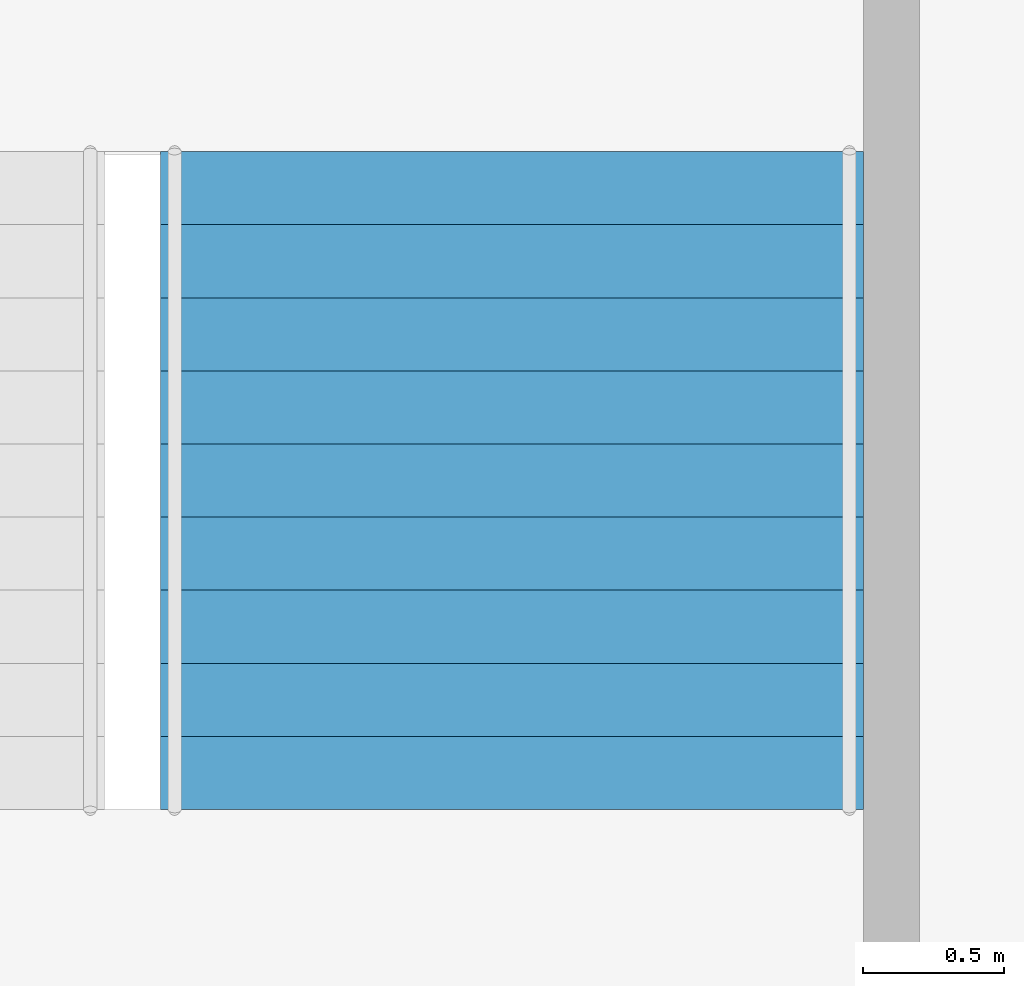
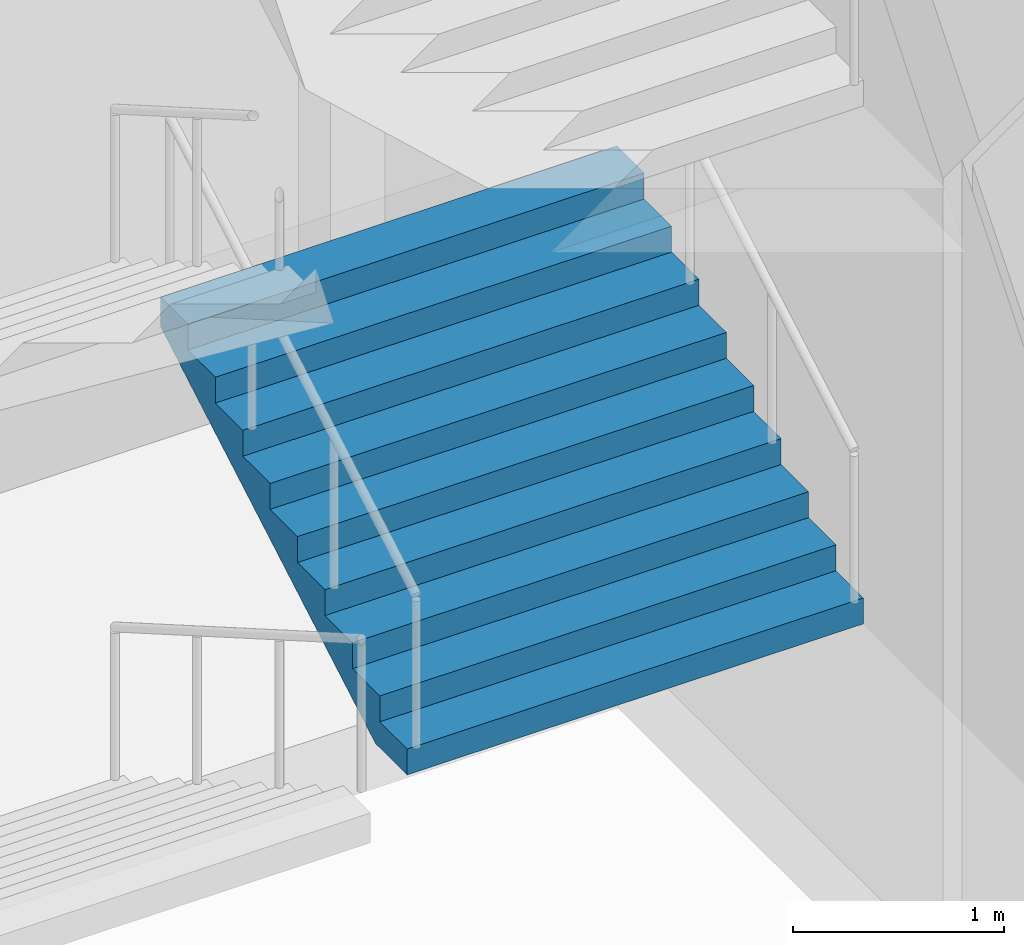
# One storey, part 72 of 100: 1 stair flight, 1 element without a shape of its own.
"""IFC4 building model written with IfcOpenShell, lengths in metres."""

from ifc_helpers import new_model, si_unit, direction, frame, origin, place, context, subcontext, project, spatial, triangles, material, type_object, element, aggregate, save


model = new_model("IFC4")

# Units and contexts
model_context = context("Model", 3, precision=1e-05, world=origin(), true_north=direction((0.0, 1.0)))
body_context = subcontext(model_context, "Body", "Model", "MODEL_VIEW")
ifc_project = project(units=[si_unit("LENGTHUNIT", "METRE"), si_unit("AREAUNIT", "SQUARE_METRE"), si_unit("VOLUMEUNIT", "CUBIC_METRE"), si_unit("PLANEANGLEUNIT", "RADIAN"), si_unit("MASSUNIT", "GRAM", prefix="KILO")], contexts=[model_context])

# Site, building, storey
site_placement = place(None, origin())
site = spatial("IfcSite", under=ifc_project, at=site_placement, CompositionType="ELEMENT")
building_placement = place(site_placement, origin())
building = spatial("IfcBuilding", under=site, at=building_placement, Name="Hakoniwa Tower and Hamabe Station Hall", CompositionType="ELEMENT")
storey_placement = place(building_placement, frame((0.0, 0.0, 9.0)))
storey = spatial("IfcBuildingStorey", under=building, at=storey_placement, Name="L02", CompositionType="ELEMENT", Elevation=9.0)

# Stair, stair flight
ifc_material_1 = material(Name="Concrete C40", Category="concrete")
stair_type = type_object("IfcStairType", Name="STAIR 2500 10X150", PredefinedType="HALF_TURN_STAIR", material=ifc_material_1)
stair_placement = place(storey_placement, origin())
stair = element("IfcStair", 1, at=stair_placement, inside=storey, type_object=stair_type, Name="Escape stair PS2", PredefinedType="HALF_TURN_STAIR")
ifc_material_2 = material(Name="Concrete C40", Category="concrete")
stair_flight_type = type_object("IfcStairFlightType", Name="STAIR FLIGHT 2500", PredefinedType="STRAIGHT", material=ifc_material_2)
stair_flight_placement = place(storey_placement, frame((47.800048828125, 20.010009765625, 1.5), z_axis=(0.0, 0.0, 1.0), x_axis=(0.0, 1.0, 0.0)))
stair_flight = element("IfcStairFlight", 2, at=stair_flight_placement, type_object=stair_flight_type, Name="PS2 flight 2", NumberOfRisers=10, NumberOfTreads=9, PredefinedType="STRAIGHT", RiserHeight=0.15, TreadLength=0.26, context=body_context, shape_type="Tessellation", body=[
    triangles([(0.0, 1.25, 0.0), (0.260009765625, 1.25, 0.0), (0.300048828125, 1.25, 0.0), (0.52001953125, 1.25, 0.126953125), (0.780029296875, 1.25, 0.27685546875), (1.0400390625, 1.25, 0.427001953125), (1.300048828125, 1.25, 0.576904296875), (1.56005859375, 1.25, 0.72705078125), (1.820068359375, 1.25, 0.876953125), (2.080078125, 1.25, 1.02685546875), (2.340087890625, 1.25, 1.177001953125), (2.340087890625, 1.25, 1.35009765625), (2.080078125, 1.25, 1.35009765625), (2.080078125, 1.25, 1.199951171875), (1.820068359375, 1.25, 1.199951171875), (1.820068359375, 1.25, 1.050048828125), (1.56005859375, 1.25, 1.050048828125), (1.56005859375, 1.25, 0.89990234375), (1.300048828125, 1.25, 0.89990234375), (1.300048828125, 1.25, 0.75), (1.0400390625, 1.25, 0.75), (1.0400390625, 1.25, 0.60009765625), (0.780029296875, 1.25, 0.60009765625), (0.780029296875, 1.25, 0.449951171875), (0.52001953125, 1.25, 0.449951171875), (0.52001953125, 1.25, 0.300048828125), (0.300048828125, 1.25, 0.300048828125), (0.260009765625, 1.25, 0.300048828125), (0.260009765625, 1.25, 0.14990234375), (0.0, 1.25, 0.14990234375), (0.0, 0.06005859375, 0.0), (0.260009765625, 0.06005859375, 0.0), (0.300048828125, 0.06005859375, 0.0), (0.52001953125, 0.06005859375, 0.126953125), (0.780029296875, 0.06005859375, 0.27685546875), (1.0400390625, 0.06005859375, 0.427001953125), (1.300048828125, 0.06005859375, 0.576904296875), (1.56005859375, 0.06005859375, 0.72705078125), (1.820068359375, 0.06005859375, 0.876953125), (2.080078125, 0.06005859375, 1.02685546875), (2.340087890625, 0.06005859375, 1.177001953125), (2.340087890625, 0.06005859375, 1.35009765625), (2.080078125, 0.06005859375, 1.35009765625), (2.080078125, 0.06005859375, 1.199951171875), (1.820068359375, 0.06005859375, 1.199951171875), (1.820068359375, 0.06005859375, 1.050048828125), (1.56005859375, 0.06005859375, 1.050048828125), (1.56005859375, 0.06005859375, 0.89990234375), (1.300048828125, 0.06005859375, 0.89990234375), (1.300048828125, 0.06005859375, 0.75), (1.0400390625, 0.06005859375, 0.75), (1.0400390625, 0.06005859375, 0.60009765625), (0.780029296875, 0.06005859375, 0.60009765625), (0.780029296875, 0.06005859375, 0.449951171875), (0.52001953125, 0.06005859375, 0.449951171875), (0.52001953125, 0.06005859375, 0.300048828125), (0.300048828125, 0.06005859375, 0.300048828125), (0.260009765625, 0.06005859375, 0.300048828125), (0.260009765625, 0.06005859375, 0.14990234375), (0.0, 0.06005859375, 0.14990234375), (0.0, 0.049072265625, 0.0), (0.260009765625, 0.049072265625, 0.0), (0.300048828125, 0.049072265625, 0.0), (0.52001953125, 0.049072265625, 0.126953125), (0.780029296875, 0.049072265625, 0.27685546875), (1.0400390625, 0.049072265625, 0.427001953125), (1.300048828125, 0.049072265625, 0.576904296875), (1.56005859375, 0.049072265625, 0.72705078125), (1.820068359375, 0.049072265625, 0.876953125), (2.080078125, 0.049072265625, 1.02685546875), (2.340087890625, 0.049072265625, 1.177001953125), (2.340087890625, 0.049072265625, 1.35009765625), (2.080078125, 0.049072265625, 1.35009765625), (2.080078125, 0.049072265625, 1.199951171875), (1.820068359375, 0.049072265625, 1.199951171875), (1.820068359375, 0.049072265625, 1.050048828125), (1.56005859375, 0.049072265625, 1.050048828125), (1.56005859375, 0.049072265625, 0.89990234375), (1.300048828125, 0.049072265625, 0.89990234375), (1.300048828125, 0.049072265625, 0.75), (1.0400390625, 0.049072265625, 0.75), (1.0400390625, 0.049072265625, 0.60009765625), (0.780029296875, 0.049072265625, 0.60009765625), (0.780029296875, 0.049072265625, 0.449951171875), (0.52001953125, 0.049072265625, 0.449951171875), (0.52001953125, 0.049072265625, 0.300048828125), (0.300048828125, 0.049072265625, 0.300048828125), (0.260009765625, 0.049072265625, 0.300048828125), (0.260009765625, 0.049072265625, 0.14990234375), (0.0, 0.049072265625, 0.14990234375), (0.0, 0.0380859375, 0.0), (0.260009765625, 0.0380859375, 0.0), (0.300048828125, 0.0380859375, 0.0), (0.52001953125, 0.0380859375, 0.126953125), (0.780029296875, 0.0380859375, 0.27685546875), (1.0400390625, 0.0380859375, 0.427001953125), (1.300048828125, 0.0380859375, 0.576904296875), (1.56005859375, 0.0380859375, 0.72705078125), (1.820068359375, 0.0380859375, 0.876953125), (2.080078125, 0.0380859375, 1.02685546875), (2.340087890625, 0.0380859375, 1.177001953125), (2.340087890625, 0.0380859375, 1.35009765625), (2.080078125, 0.0380859375, 1.35009765625), (2.080078125, 0.0380859375, 1.199951171875), (1.820068359375, 0.0380859375, 1.199951171875), (1.820068359375, 0.0380859375, 1.050048828125), (1.56005859375, 0.0380859375, 1.050048828125), (1.56005859375, 0.0380859375, 0.89990234375), (1.300048828125, 0.0380859375, 0.89990234375), (1.300048828125, 0.0380859375, 0.75), (1.0400390625, 0.0380859375, 0.75), (1.0400390625, 0.0380859375, 0.60009765625), (0.780029296875, 0.0380859375, 0.60009765625), (0.780029296875, 0.0380859375, 0.449951171875), (0.52001953125, 0.0380859375, 0.449951171875), (0.52001953125, 0.0380859375, 0.300048828125), (0.300048828125, 0.0380859375, 0.300048828125), (0.260009765625, 0.0380859375, 0.300048828125), (0.260009765625, 0.0380859375, 0.14990234375), (0.0, 0.0380859375, 0.14990234375), (0.0, 0.02734375, 0.0), (0.260009765625, 0.02734375, 0.0), (0.300048828125, 0.02734375, 0.0), (0.52001953125, 0.02734375, 0.126953125), (0.780029296875, 0.02734375, 0.27685546875), (1.0400390625, 0.02734375, 0.427001953125), (1.300048828125, 0.02734375, 0.576904296875), (1.56005859375, 0.02734375, 0.72705078125), (1.820068359375, 0.02734375, 0.876953125), (2.080078125, 0.02734375, 1.02685546875), (2.340087890625, 0.02734375, 1.177001953125), (2.340087890625, 0.02734375, 1.35009765625), (2.080078125, 0.02734375, 1.35009765625), (2.080078125, 0.02734375, 1.199951171875), (1.820068359375, 0.02734375, 1.199951171875), (1.820068359375, 0.02734375, 1.050048828125), (1.56005859375, 0.02734375, 1.050048828125), (1.56005859375, 0.02734375, 0.89990234375), (1.300048828125, 0.02734375, 0.89990234375), (1.300048828125, 0.02734375, 0.75), (1.0400390625, 0.02734375, 0.75), (1.0400390625, 0.02734375, 0.60009765625), (0.780029296875, 0.02734375, 0.60009765625), (0.780029296875, 0.02734375, 0.449951171875), (0.52001953125, 0.02734375, 0.449951171875), (0.52001953125, 0.02734375, 0.300048828125), (0.300048828125, 0.02734375, 0.300048828125), (0.260009765625, 0.02734375, 0.300048828125), (0.260009765625, 0.02734375, 0.14990234375), (0.0, 0.02734375, 0.14990234375), (0.0, 0.016357421875, 0.0), (0.260009765625, 0.016357421875, 0.0), (0.300048828125, 0.016357421875, 0.0), (0.52001953125, 0.016357421875, 0.126953125), (0.780029296875, 0.016357421875, 0.27685546875), (1.0400390625, 0.016357421875, 0.427001953125), (1.300048828125, 0.016357421875, 0.576904296875), (1.56005859375, 0.016357421875, 0.72705078125), (1.820068359375, 0.016357421875, 0.876953125), (2.080078125, 0.016357421875, 1.02685546875), (2.340087890625, 0.016357421875, 1.177001953125), (2.340087890625, 0.016357421875, 1.35009765625), (2.080078125, 0.016357421875, 1.35009765625), (2.080078125, 0.016357421875, 1.199951171875), (1.820068359375, 0.016357421875, 1.199951171875), (1.820068359375, 0.016357421875, 1.050048828125), (1.56005859375, 0.016357421875, 1.050048828125), (1.56005859375, 0.016357421875, 0.89990234375), (1.300048828125, 0.016357421875, 0.89990234375), (1.300048828125, 0.016357421875, 0.75), (1.0400390625, 0.016357421875, 0.75), (1.0400390625, 0.016357421875, 0.60009765625), (0.780029296875, 0.016357421875, 0.60009765625), (0.780029296875, 0.016357421875, 0.449951171875), (0.52001953125, 0.016357421875, 0.449951171875), (0.52001953125, 0.016357421875, 0.300048828125), (0.300048828125, 0.016357421875, 0.300048828125), (0.260009765625, 0.016357421875, 0.300048828125), (0.260009765625, 0.016357421875, 0.14990234375), (0.0, 0.016357421875, 0.14990234375), (0.0, 0.00537109375, 0.0), (0.260009765625, 0.00537109375, 0.0), (0.300048828125, 0.00537109375, 0.0), (0.52001953125, 0.00537109375, 0.126953125), (0.780029296875, 0.00537109375, 0.27685546875), (1.0400390625, 0.00537109375, 0.427001953125), (1.300048828125, 0.00537109375, 0.576904296875), (1.56005859375, 0.00537109375, 0.72705078125), (1.820068359375, 0.00537109375, 0.876953125), (2.080078125, 0.00537109375, 1.02685546875), (2.340087890625, 0.00537109375, 1.177001953125), (2.340087890625, 0.00537109375, 1.35009765625), (2.080078125, 0.00537109375, 1.35009765625), (2.080078125, 0.00537109375, 1.199951171875), (1.820068359375, 0.00537109375, 1.199951171875), (1.820068359375, 0.00537109375, 1.050048828125), (1.56005859375, 0.00537109375, 1.050048828125), (1.56005859375, 0.00537109375, 0.89990234375), (1.300048828125, 0.00537109375, 0.89990234375), (1.300048828125, 0.00537109375, 0.75), (1.0400390625, 0.00537109375, 0.75), (1.0400390625, 0.00537109375, 0.60009765625), (0.780029296875, 0.00537109375, 0.60009765625), (0.780029296875, 0.00537109375, 0.449951171875), (0.52001953125, 0.00537109375, 0.449951171875), (0.52001953125, 0.00537109375, 0.300048828125), (0.300048828125, 0.00537109375, 0.300048828125), (0.260009765625, 0.00537109375, 0.300048828125), (0.260009765625, 0.00537109375, 0.14990234375), (0.0, 0.00537109375, 0.14990234375), (0.0, -0.00537109375, 0.0), (0.260009765625, -0.00537109375, 0.0), (0.300048828125, -0.00537109375, 0.0), (0.52001953125, -0.00537109375, 0.126953125), (0.780029296875, -0.00537109375, 0.27685546875), (1.0400390625, -0.00537109375, 0.427001953125), (1.300048828125, -0.00537109375, 0.576904296875), (1.56005859375, -0.00537109375, 0.72705078125), (1.820068359375, -0.00537109375, 0.876953125), (2.080078125, -0.00537109375, 1.02685546875), (2.340087890625, -0.00537109375, 1.177001953125), (2.340087890625, -0.00537109375, 1.35009765625), (2.080078125, -0.00537109375, 1.35009765625), (2.080078125, -0.00537109375, 1.199951171875), (1.820068359375, -0.00537109375, 1.199951171875), (1.820068359375, -0.00537109375, 1.050048828125), (1.56005859375, -0.00537109375, 1.050048828125), (1.56005859375, -0.00537109375, 0.89990234375), (1.300048828125, -0.00537109375, 0.89990234375), (1.300048828125, -0.00537109375, 0.75), (1.0400390625, -0.00537109375, 0.75), (1.0400390625, -0.00537109375, 0.60009765625), (0.780029296875, -0.00537109375, 0.60009765625), (0.780029296875, -0.00537109375, 0.449951171875), (0.52001953125, -0.00537109375, 0.449951171875), (0.52001953125, -0.00537109375, 0.300048828125), (0.300048828125, -0.00537109375, 0.300048828125), (0.260009765625, -0.00537109375, 0.300048828125), (0.260009765625, -0.00537109375, 0.14990234375), (0.0, -0.00537109375, 0.14990234375), (0.0, -0.016357421875, 0.0), (0.260009765625, -0.016357421875, 0.0), (0.300048828125, -0.016357421875, 0.0), (0.52001953125, -0.016357421875, 0.126953125), (0.780029296875, -0.016357421875, 0.27685546875), (1.0400390625, -0.016357421875, 0.427001953125), (1.300048828125, -0.016357421875, 0.576904296875), (1.56005859375, -0.016357421875, 0.72705078125), (1.820068359375, -0.016357421875, 0.876953125), (2.080078125, -0.016357421875, 1.02685546875), (2.340087890625, -0.016357421875, 1.177001953125), (2.340087890625, -0.016357421875, 1.35009765625), (2.080078125, -0.016357421875, 1.35009765625), (2.080078125, -0.016357421875, 1.199951171875), (1.820068359375, -0.016357421875, 1.199951171875), (1.820068359375, -0.016357421875, 1.050048828125), (1.56005859375, -0.016357421875, 1.050048828125), (1.56005859375, -0.016357421875, 0.89990234375), (1.300048828125, -0.016357421875, 0.89990234375), (1.300048828125, -0.016357421875, 0.75), (1.0400390625, -0.016357421875, 0.75), (1.0400390625, -0.016357421875, 0.60009765625), (0.780029296875, -0.016357421875, 0.60009765625), (0.780029296875, -0.016357421875, 0.449951171875), (0.52001953125, -0.016357421875, 0.449951171875), (0.52001953125, -0.016357421875, 0.300048828125), (0.300048828125, -0.016357421875, 0.300048828125), (0.260009765625, -0.016357421875, 0.300048828125), (0.260009765625, -0.016357421875, 0.14990234375), (0.0, -0.016357421875, 0.14990234375), (0.0, -0.02734375, 0.0), (0.260009765625, -0.02734375, 0.0), (0.300048828125, -0.02734375, 0.0), (0.52001953125, -0.02734375, 0.126953125), (0.780029296875, -0.02734375, 0.27685546875), (1.0400390625, -0.02734375, 0.427001953125), (1.300048828125, -0.02734375, 0.576904296875), (1.56005859375, -0.02734375, 0.72705078125), (1.820068359375, -0.02734375, 0.876953125), (2.080078125, -0.02734375, 1.02685546875), (2.340087890625, -0.02734375, 1.177001953125), (2.340087890625, -0.02734375, 1.35009765625), (2.080078125, -0.02734375, 1.35009765625), (2.080078125, -0.02734375, 1.199951171875), (1.820068359375, -0.02734375, 1.199951171875), (1.820068359375, -0.02734375, 1.050048828125), (1.56005859375, -0.02734375, 1.050048828125), (1.56005859375, -0.02734375, 0.89990234375), (1.300048828125, -0.02734375, 0.89990234375), (1.300048828125, -0.02734375, 0.75), (1.0400390625, -0.02734375, 0.75), (1.0400390625, -0.02734375, 0.60009765625), (0.780029296875, -0.02734375, 0.60009765625), (0.780029296875, -0.02734375, 0.449951171875), (0.52001953125, -0.02734375, 0.449951171875), (0.52001953125, -0.02734375, 0.300048828125), (0.300048828125, -0.02734375, 0.300048828125), (0.260009765625, -0.02734375, 0.300048828125), (0.260009765625, -0.02734375, 0.14990234375), (0.0, -0.02734375, 0.14990234375), (0.0, -0.0380859375, 0.0), (0.260009765625, -0.0380859375, 0.0), (0.300048828125, -0.0380859375, 0.0), (0.52001953125, -0.0380859375, 0.126953125), (0.780029296875, -0.0380859375, 0.27685546875), (1.0400390625, -0.0380859375, 0.427001953125), (1.300048828125, -0.0380859375, 0.576904296875), (1.56005859375, -0.0380859375, 0.72705078125), (1.820068359375, -0.0380859375, 0.876953125), (2.080078125, -0.0380859375, 1.02685546875), (2.340087890625, -0.0380859375, 1.177001953125), (2.340087890625, -0.0380859375, 1.35009765625), (2.080078125, -0.0380859375, 1.35009765625), (2.080078125, -0.0380859375, 1.199951171875), (1.820068359375, -0.0380859375, 1.199951171875), (1.820068359375, -0.0380859375, 1.050048828125), (1.56005859375, -0.0380859375, 1.050048828125), (1.56005859375, -0.0380859375, 0.89990234375), (1.300048828125, -0.0380859375, 0.89990234375), (1.300048828125, -0.0380859375, 0.75), (1.0400390625, -0.0380859375, 0.75), (1.0400390625, -0.0380859375, 0.60009765625), (0.780029296875, -0.0380859375, 0.60009765625), (0.780029296875, -0.0380859375, 0.449951171875), (0.52001953125, -0.0380859375, 0.449951171875), (0.52001953125, -0.0380859375, 0.300048828125), (0.300048828125, -0.0380859375, 0.300048828125), (0.260009765625, -0.0380859375, 0.300048828125), (0.260009765625, -0.0380859375, 0.14990234375), (0.0, -0.0380859375, 0.14990234375), (0.0, -0.049072265625, 0.0), (0.260009765625, -0.049072265625, 0.0), (0.300048828125, -0.049072265625, 0.0), (0.52001953125, -0.049072265625, 0.126953125), (0.780029296875, -0.049072265625, 0.27685546875), (1.0400390625, -0.049072265625, 0.427001953125), (1.300048828125, -0.049072265625, 0.576904296875), (1.56005859375, -0.049072265625, 0.72705078125), (1.820068359375, -0.049072265625, 0.876953125), (2.080078125, -0.049072265625, 1.02685546875), (2.340087890625, -0.049072265625, 1.177001953125), (2.340087890625, -0.049072265625, 1.35009765625), (2.080078125, -0.049072265625, 1.35009765625), (2.080078125, -0.049072265625, 1.199951171875), (1.820068359375, -0.049072265625, 1.199951171875), (1.820068359375, -0.049072265625, 1.050048828125), (1.56005859375, -0.049072265625, 1.050048828125), (1.56005859375, -0.049072265625, 0.89990234375), (1.300048828125, -0.049072265625, 0.89990234375), (1.300048828125, -0.049072265625, 0.75), (1.0400390625, -0.049072265625, 0.75), (1.0400390625, -0.049072265625, 0.60009765625), (0.780029296875, -0.049072265625, 0.60009765625), (0.780029296875, -0.049072265625, 0.449951171875), (0.52001953125, -0.049072265625, 0.449951171875), (0.52001953125, -0.049072265625, 0.300048828125), (0.300048828125, -0.049072265625, 0.300048828125), (0.260009765625, -0.049072265625, 0.300048828125), (0.260009765625, -0.049072265625, 0.14990234375), (0.0, -0.049072265625, 0.14990234375), (0.0, -0.06005859375, 0.0), (0.260009765625, -0.06005859375, 0.0), (0.300048828125, -0.06005859375, 0.0), (0.52001953125, -0.06005859375, 0.126953125), (0.780029296875, -0.06005859375, 0.27685546875), (1.0400390625, -0.06005859375, 0.427001953125), (1.300048828125, -0.06005859375, 0.576904296875), (1.56005859375, -0.06005859375, 0.72705078125), (1.820068359375, -0.06005859375, 0.876953125), (2.080078125, -0.06005859375, 1.02685546875), (2.340087890625, -0.06005859375, 1.177001953125), (2.340087890625, -0.06005859375, 1.35009765625), (2.080078125, -0.06005859375, 1.35009765625), (2.080078125, -0.06005859375, 1.199951171875), (1.820068359375, -0.06005859375, 1.199951171875), (1.820068359375, -0.06005859375, 1.050048828125), (1.56005859375, -0.06005859375, 1.050048828125), (1.56005859375, -0.06005859375, 0.89990234375), (1.300048828125, -0.06005859375, 0.89990234375), (1.300048828125, -0.06005859375, 0.75), (1.0400390625, -0.06005859375, 0.75), (1.0400390625, -0.06005859375, 0.60009765625), (0.780029296875, -0.06005859375, 0.60009765625), (0.780029296875, -0.06005859375, 0.449951171875), (0.52001953125, -0.06005859375, 0.449951171875), (0.52001953125, -0.06005859375, 0.300048828125), (0.300048828125, -0.06005859375, 0.300048828125), (0.260009765625, -0.06005859375, 0.300048828125), (0.260009765625, -0.06005859375, 0.14990234375), (0.0, -0.06005859375, 0.14990234375), (0.0, -1.25, 0.0), (0.260009765625, -1.25, 0.0), (0.300048828125, -1.25, 0.0), (0.52001953125, -1.25, 0.126953125), (0.780029296875, -1.25, 0.27685546875), (1.0400390625, -1.25, 0.427001953125), (1.300048828125, -1.25, 0.576904296875), (1.56005859375, -1.25, 0.72705078125), (1.820068359375, -1.25, 0.876953125), (2.080078125, -1.25, 1.02685546875), (2.340087890625, -1.25, 1.177001953125), (2.340087890625, -1.25, 1.35009765625), (2.080078125, -1.25, 1.35009765625), (2.080078125, -1.25, 1.199951171875), (1.820068359375, -1.25, 1.199951171875), (1.820068359375, -1.25, 1.050048828125), (1.56005859375, -1.25, 1.050048828125), (1.56005859375, -1.25, 0.89990234375), (1.300048828125, -1.25, 0.89990234375), (1.300048828125, -1.25, 0.75), (1.0400390625, -1.25, 0.75), (1.0400390625, -1.25, 0.60009765625), (0.780029296875, -1.25, 0.60009765625), (0.780029296875, -1.25, 0.449951171875), (0.52001953125, -1.25, 0.449951171875), (0.52001953125, -1.25, 0.300048828125), (0.300048828125, -1.25, 0.300048828125), (0.260009765625, -1.25, 0.300048828125), (0.260009765625, -1.25, 0.14990234375), (0.0, -1.25, 0.14990234375)], [[2, 30, 29], [392, 419, 420], [2, 1, 30], [392, 420, 391], [3, 28, 27], [393, 417, 418], [3, 29, 28], [393, 418, 419], [3, 2, 29], [393, 419, 392], [4, 27, 26], [394, 416, 417], [4, 3, 27], [394, 417, 393], [5, 25, 24], [395, 414, 415], [5, 26, 25], [395, 415, 416], [5, 4, 26], [395, 416, 394], [6, 23, 22], [396, 412, 413], [6, 24, 23], [396, 413, 414], [6, 5, 24], [396, 414, 395], [7, 21, 20], [397, 410, 411], [7, 22, 21], [397, 411, 412], [7, 6, 22], [397, 412, 396], [8, 19, 18], [398, 408, 409], [8, 20, 19], [398, 409, 410], [8, 7, 20], [398, 410, 397], [9, 17, 16], [399, 406, 407], [9, 18, 17], [399, 407, 408], [9, 8, 18], [399, 408, 398], [10, 15, 14], [400, 404, 405], [10, 16, 15], [400, 405, 406], [10, 9, 16], [400, 406, 399], [11, 13, 12], [401, 402, 403], [11, 14, 13], [401, 403, 404], [11, 10, 14], [401, 404, 400], [1, 2, 32], [1, 32, 31], [31, 32, 62], [31, 62, 61], [61, 62, 92], [61, 92, 91], [91, 92, 122], [91, 122, 121], [121, 122, 152], [121, 152, 151], [151, 152, 182], [151, 182, 181], [181, 182, 212], [181, 212, 211], [211, 212, 242], [211, 242, 241], [241, 242, 272], [241, 272, 271], [271, 272, 302], [271, 302, 301], [301, 302, 332], [301, 332, 331], [331, 332, 362], [331, 362, 361], [361, 362, 392], [361, 392, 391], [2, 3, 33], [2, 33, 32], [32, 33, 63], [32, 63, 62], [62, 63, 93], [62, 93, 92], [92, 93, 123], [92, 123, 122], [122, 123, 153], [122, 153, 152], [152, 153, 183], [152, 183, 182], [182, 183, 213], [182, 213, 212], [212, 213, 243], [212, 243, 242], [242, 243, 273], [242, 273, 272], [272, 273, 303], [272, 303, 302], [302, 303, 333], [302, 333, 332], [332, 333, 363], [332, 363, 362], [362, 363, 393], [362, 393, 392], [3, 4, 34], [3, 34, 33], [33, 34, 64], [33, 64, 63], [63, 64, 94], [63, 94, 93], [93, 94, 124], [93, 124, 123], [123, 124, 154], [123, 154, 153], [153, 154, 184], [153, 184, 183], [183, 184, 214], [183, 214, 213], [213, 214, 244], [213, 244, 243], [243, 244, 274], [243, 274, 273], [273, 274, 304], [273, 304, 303], [303, 304, 334], [303, 334, 333], [333, 334, 364], [333, 364, 363], [363, 364, 394], [363, 394, 393], [4, 5, 35], [4, 35, 34], [34, 35, 65], [34, 65, 64], [64, 65, 95], [64, 95, 94], [94, 95, 125], [94, 125, 124], [124, 125, 155], [124, 155, 154], [154, 155, 185], [154, 185, 184], [184, 185, 215], [184, 215, 214], [214, 215, 245], [214, 245, 244], [244, 245, 275], [244, 275, 274], [274, 275, 305], [274, 305, 304], [304, 305, 335], [304, 335, 334], [334, 335, 365], [334, 365, 364], [364, 365, 395], [364, 395, 394], [5, 6, 36], [5, 36, 35], [35, 36, 66], [35, 66, 65], [65, 66, 96], [65, 96, 95], [95, 96, 126], [95, 126, 125], [125, 126, 156], [125, 156, 155], [155, 156, 186], [155, 186, 185], [185, 186, 216], [185, 216, 215], [215, 216, 246], [215, 246, 245], [245, 246, 276], [245, 276, 275], [275, 276, 306], [275, 306, 305], [305, 306, 336], [305, 336, 335], [335, 336, 366], [335, 366, 365], [365, 366, 396], [365, 396, 395], [6, 7, 37], [6, 37, 36], [36, 37, 67], [36, 67, 66], [66, 67, 97], [66, 97, 96], [96, 97, 127], [96, 127, 126], [126, 127, 157], [126, 157, 156], [156, 157, 187], [156, 187, 186], [186, 187, 217], [186, 217, 216], [216, 217, 247], [216, 247, 246], [246, 247, 277], [246, 277, 276], [276, 277, 307], [276, 307, 306], [306, 307, 337], [306, 337, 336], [336, 337, 367], [336, 367, 366], [366, 367, 397], [366, 397, 396], [7, 8, 38], [7, 38, 37], [37, 38, 68], [37, 68, 67], [67, 68, 98], [67, 98, 97], [97, 98, 128], [97, 128, 127], [127, 128, 158], [127, 158, 157], [157, 158, 188], [157, 188, 187], [187, 188, 218], [187, 218, 217], [217, 218, 248], [217, 248, 247], [247, 248, 278], [247, 278, 277], [277, 278, 308], [277, 308, 307], [307, 308, 338], [307, 338, 337], [337, 338, 368], [337, 368, 367], [367, 368, 398], [367, 398, 397], [8, 9, 39], [8, 39, 38], [38, 39, 69], [38, 69, 68], [68, 69, 99], [68, 99, 98], [98, 99, 129], [98, 129, 128], [128, 129, 159], [128, 159, 158], [158, 159, 189], [158, 189, 188], [188, 189, 219], [188, 219, 218], [218, 219, 249], [218, 249, 248], [248, 249, 279], [248, 279, 278], [278, 279, 309], [278, 309, 308], [308, 309, 339], [308, 339, 338], [338, 339, 369], [338, 369, 368], [368, 369, 399], [368, 399, 398], [9, 10, 40], [9, 40, 39], [39, 40, 70], [39, 70, 69], [69, 70, 100], [69, 100, 99], [99, 100, 130], [99, 130, 129], [129, 130, 160], [129, 160, 159], [159, 160, 190], [159, 190, 189], [189, 190, 220], [189, 220, 219], [219, 220, 250], [219, 250, 249], [249, 250, 280], [249, 280, 279], [279, 280, 310], [279, 310, 309], [309, 310, 340], [309, 340, 339], [339, 340, 370], [339, 370, 369], [369, 370, 400], [369, 400, 399], [10, 11, 41], [10, 41, 40], [40, 41, 71], [40, 71, 70], [70, 71, 101], [70, 101, 100], [100, 101, 131], [100, 131, 130], [130, 131, 161], [130, 161, 160], [160, 161, 191], [160, 191, 190], [190, 191, 221], [190, 221, 220], [220, 221, 251], [220, 251, 250], [250, 251, 281], [250, 281, 280], [280, 281, 311], [280, 311, 310], [310, 311, 341], [310, 341, 340], [340, 341, 371], [340, 371, 370], [370, 371, 401], [370, 401, 400], [11, 12, 42], [11, 42, 41], [41, 42, 72], [41, 72, 71], [71, 72, 102], [71, 102, 101], [101, 102, 132], [101, 132, 131], [131, 132, 162], [131, 162, 161], [161, 162, 192], [161, 192, 191], [191, 192, 222], [191, 222, 221], [221, 222, 252], [221, 252, 251], [251, 252, 282], [251, 282, 281], [281, 282, 312], [281, 312, 311], [311, 312, 342], [311, 342, 341], [341, 342, 372], [341, 372, 371], [371, 372, 402], [371, 402, 401], [12, 13, 43], [12, 43, 42], [42, 43, 73], [42, 73, 72], [72, 73, 103], [72, 103, 102], [102, 103, 133], [102, 133, 132], [132, 133, 163], [132, 163, 162], [162, 163, 193], [162, 193, 192], [192, 193, 223], [192, 223, 222], [222, 223, 253], [222, 253, 252], [252, 253, 283], [252, 283, 282], [282, 283, 313], [282, 313, 312], [312, 313, 343], [312, 343, 342], [342, 343, 373], [342, 373, 372], [372, 373, 403], [372, 403, 402], [13, 14, 44], [13, 44, 43], [43, 44, 74], [43, 74, 73], [73, 74, 104], [73, 104, 103], [103, 104, 134], [103, 134, 133], [133, 134, 164], [133, 164, 163], [163, 164, 194], [163, 194, 193], [193, 194, 224], [193, 224, 223], [223, 224, 254], [223, 254, 253], [253, 254, 284], [253, 284, 283], [283, 284, 314], [283, 314, 313], [313, 314, 344], [313, 344, 343], [343, 344, 374], [343, 374, 373], [373, 374, 404], [373, 404, 403], [14, 15, 45], [14, 45, 44], [44, 45, 75], [44, 75, 74], [74, 75, 105], [74, 105, 104], [104, 105, 135], [104, 135, 134], [134, 135, 165], [134, 165, 164], [164, 165, 195], [164, 195, 194], [194, 195, 225], [194, 225, 224], [224, 225, 255], [224, 255, 254], [254, 255, 285], [254, 285, 284], [284, 285, 315], [284, 315, 314], [314, 315, 345], [314, 345, 344], [344, 345, 375], [344, 375, 374], [374, 375, 405], [374, 405, 404], [15, 16, 46], [15, 46, 45], [45, 46, 76], [45, 76, 75], [75, 76, 106], [75, 106, 105], [105, 106, 136], [105, 136, 135], [135, 136, 166], [135, 166, 165], [165, 166, 196], [165, 196, 195], [195, 196, 226], [195, 226, 225], [225, 226, 256], [225, 256, 255], [255, 256, 286], [255, 286, 285], [285, 286, 316], [285, 316, 315], [315, 316, 346], [315, 346, 345], [345, 346, 376], [345, 376, 375], [375, 376, 406], [375, 406, 405], [16, 17, 47], [16, 47, 46], [46, 47, 77], [46, 77, 76], [76, 77, 107], [76, 107, 106], [106, 107, 137], [106, 137, 136], [136, 137, 167], [136, 167, 166], [166, 167, 197], [166, 197, 196], [196, 197, 227], [196, 227, 226], [226, 227, 257], [226, 257, 256], [256, 257, 287], [256, 287, 286], [286, 287, 317], [286, 317, 316], [316, 317, 347], [316, 347, 346], [346, 347, 377], [346, 377, 376], [376, 377, 407], [376, 407, 406], [17, 18, 48], [17, 48, 47], [47, 48, 78], [47, 78, 77], [77, 78, 108], [77, 108, 107], [107, 108, 138], [107, 138, 137], [137, 138, 168], [137, 168, 167], [167, 168, 198], [167, 198, 197], [197, 198, 228], [197, 228, 227], [227, 228, 258], [227, 258, 257], [257, 258, 288], [257, 288, 287], [287, 288, 318], [287, 318, 317], [317, 318, 348], [317, 348, 347], [347, 348, 378], [347, 378, 377], [377, 378, 408], [377, 408, 407], [18, 19, 49], [18, 49, 48], [48, 49, 79], [48, 79, 78], [78, 79, 109], [78, 109, 108], [108, 109, 139], [108, 139, 138], [138, 139, 169], [138, 169, 168], [168, 169, 199], [168, 199, 198], [198, 199, 229], [198, 229, 228], [228, 229, 259], [228, 259, 258], [258, 259, 289], [258, 289, 288], [288, 289, 319], [288, 319, 318], [318, 319, 349], [318, 349, 348], [348, 349, 379], [348, 379, 378], [378, 379, 409], [378, 409, 408], [19, 20, 50], [19, 50, 49], [49, 50, 80], [49, 80, 79], [79, 80, 110], [79, 110, 109], [109, 110, 140], [109, 140, 139], [139, 140, 170], [139, 170, 169], [169, 170, 200], [169, 200, 199], [199, 200, 230], [199, 230, 229], [229, 230, 260], [229, 260, 259], [259, 260, 290], [259, 290, 289], [289, 290, 320], [289, 320, 319], [319, 320, 350], [319, 350, 349], [349, 350, 380], [349, 380, 379], [379, 380, 410], [379, 410, 409], [20, 21, 51], [20, 51, 50], [50, 51, 81], [50, 81, 80], [80, 81, 111], [80, 111, 110], [110, 111, 141], [110, 141, 140], [140, 141, 171], [140, 171, 170], [170, 171, 201], [170, 201, 200], [200, 201, 231], [200, 231, 230], [230, 231, 261], [230, 261, 260], [260, 261, 291], [260, 291, 290], [290, 291, 321], [290, 321, 320], [320, 321, 351], [320, 351, 350], [350, 351, 381], [350, 381, 380], [380, 381, 411], [380, 411, 410], [21, 22, 52], [21, 52, 51], [51, 52, 82], [51, 82, 81], [81, 82, 112], [81, 112, 111], [111, 112, 142], [111, 142, 141], [141, 142, 172], [141, 172, 171], [171, 172, 202], [171, 202, 201], [201, 202, 232], [201, 232, 231], [231, 232, 262], [231, 262, 261], [261, 262, 292], [261, 292, 291], [291, 292, 322], [291, 322, 321], [321, 322, 352], [321, 352, 351], [351, 352, 382], [351, 382, 381], [381, 382, 412], [381, 412, 411], [22, 23, 53], [22, 53, 52], [52, 53, 83], [52, 83, 82], [82, 83, 113], [82, 113, 112], [112, 113, 143], [112, 143, 142], [142, 143, 173], [142, 173, 172], [172, 173, 203], [172, 203, 202], [202, 203, 233], [202, 233, 232], [232, 233, 263], [232, 263, 262], [262, 263, 293], [262, 293, 292], [292, 293, 323], [292, 323, 322], [322, 323, 353], [322, 353, 352], [352, 353, 383], [352, 383, 382], [382, 383, 413], [382, 413, 412], [23, 24, 54], [23, 54, 53], [53, 54, 84], [53, 84, 83], [83, 84, 114], [83, 114, 113], [113, 114, 144], [113, 144, 143], [143, 144, 174], [143, 174, 173], [173, 174, 204], [173, 204, 203], [203, 204, 234], [203, 234, 233], [233, 234, 264], [233, 264, 263], [263, 264, 294], [263, 294, 293], [293, 294, 324], [293, 324, 323], [323, 324, 354], [323, 354, 353], [353, 354, 384], [353, 384, 383], [383, 384, 414], [383, 414, 413], [24, 25, 55], [24, 55, 54], [54, 55, 85], [54, 85, 84], [84, 85, 115], [84, 115, 114], [114, 115, 145], [114, 145, 144], [144, 145, 175], [144, 175, 174], [174, 175, 205], [174, 205, 204], [204, 205, 235], [204, 235, 234], [234, 235, 265], [234, 265, 264], [264, 265, 295], [264, 295, 294], [294, 295, 325], [294, 325, 324], [324, 325, 355], [324, 355, 354], [354, 355, 385], [354, 385, 384], [384, 385, 415], [384, 415, 414], [25, 26, 56], [25, 56, 55], [55, 56, 86], [55, 86, 85], [85, 86, 116], [85, 116, 115], [115, 116, 146], [115, 146, 145], [145, 146, 176], [145, 176, 175], [175, 176, 206], [175, 206, 205], [205, 206, 236], [205, 236, 235], [235, 236, 266], [235, 266, 265], [265, 266, 296], [265, 296, 295], [295, 296, 326], [295, 326, 325], [325, 326, 356], [325, 356, 355], [355, 356, 386], [355, 386, 385], [385, 386, 416], [385, 416, 415], [26, 27, 57], [26, 57, 56], [56, 57, 87], [56, 87, 86], [86, 87, 117], [86, 117, 116], [116, 117, 147], [116, 147, 146], [146, 147, 177], [146, 177, 176], [176, 177, 207], [176, 207, 206], [206, 207, 237], [206, 237, 236], [236, 237, 267], [236, 267, 266], [266, 267, 297], [266, 297, 296], [296, 297, 327], [296, 327, 326], [326, 327, 357], [326, 357, 356], [356, 357, 387], [356, 387, 386], [386, 387, 417], [386, 417, 416], [27, 28, 58], [27, 58, 57], [57, 58, 88], [57, 88, 87], [87, 88, 118], [87, 118, 117], [117, 118, 148], [117, 148, 147], [147, 148, 178], [147, 178, 177], [177, 178, 208], [177, 208, 207], [207, 208, 238], [207, 238, 237], [237, 238, 268], [237, 268, 267], [267, 268, 298], [267, 298, 297], [297, 298, 328], [297, 328, 327], [327, 328, 358], [327, 358, 357], [357, 358, 388], [357, 388, 387], [387, 388, 418], [387, 418, 417], [28, 29, 59], [28, 59, 58], [58, 59, 89], [58, 89, 88], [88, 89, 119], [88, 119, 118], [118, 119, 149], [118, 149, 148], [148, 149, 179], [148, 179, 178], [178, 179, 209], [178, 209, 208], [208, 209, 239], [208, 239, 238], [238, 239, 269], [238, 269, 268], [268, 269, 299], [268, 299, 298], [298, 299, 329], [298, 329, 328], [328, 329, 359], [328, 359, 358], [358, 359, 389], [358, 389, 388], [388, 389, 419], [388, 419, 418], [29, 30, 60], [29, 60, 59], [59, 60, 90], [59, 90, 89], [89, 90, 120], [89, 120, 119], [119, 120, 150], [119, 150, 149], [149, 150, 180], [149, 180, 179], [179, 180, 210], [179, 210, 209], [209, 210, 240], [209, 240, 239], [239, 240, 270], [239, 270, 269], [269, 270, 300], [269, 300, 299], [299, 300, 330], [299, 330, 329], [329, 330, 360], [329, 360, 359], [359, 360, 390], [359, 390, 389], [389, 390, 420], [389, 420, 419], [30, 1, 31], [30, 31, 60], [60, 31, 61], [60, 61, 90], [90, 61, 91], [90, 91, 120], [120, 91, 121], [120, 121, 150], [150, 121, 151], [150, 151, 180], [180, 151, 181], [180, 181, 210], [210, 181, 211], [210, 211, 240], [240, 211, 241], [240, 241, 270], [270, 241, 271], [270, 271, 300], [300, 271, 301], [300, 301, 330], [330, 301, 331], [330, 331, 360], [360, 331, 361], [360, 361, 390], [390, 361, 391], [390, 391, 420]], closed=True),
])
aggregate(stair, [stair_flight])

save(model, "model.ifc")
